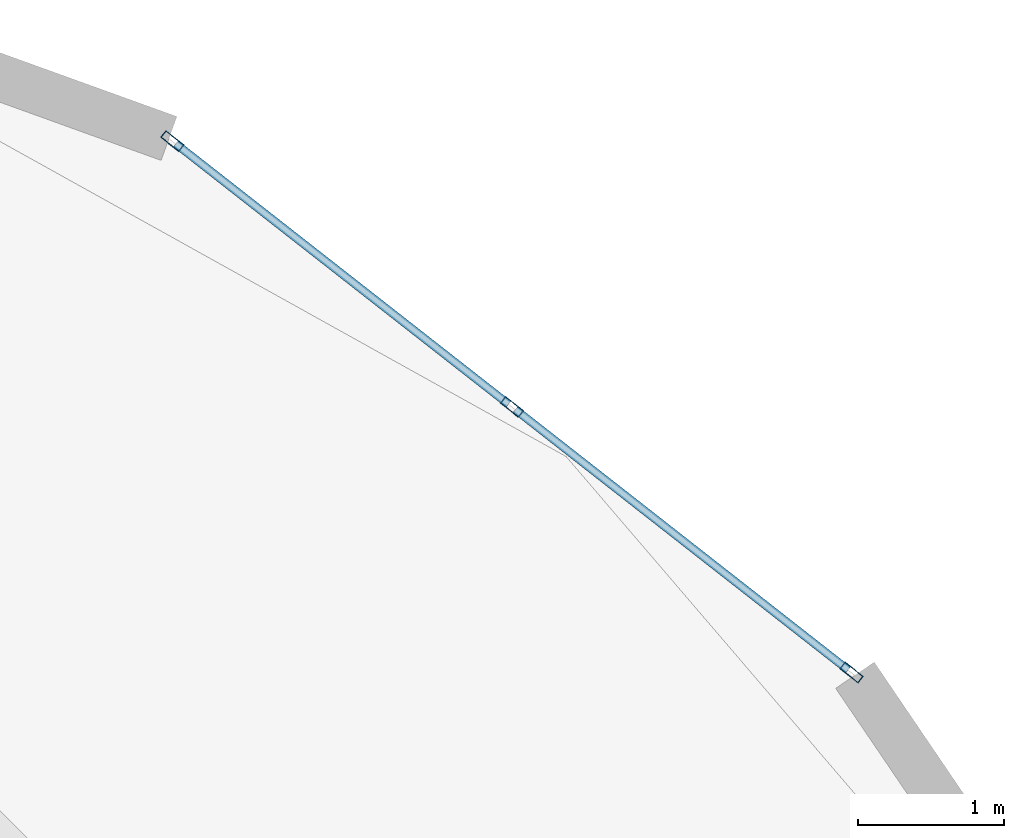
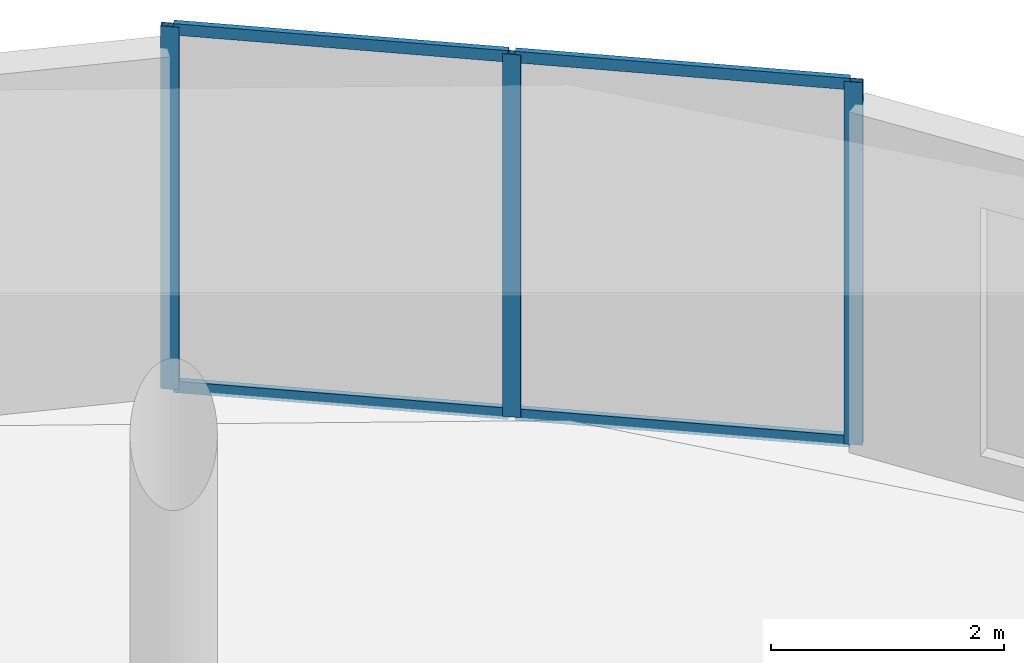
# One storey, part 13 of 19: 7 members, 1 element without a shape of its own.
"""IFC4 building model written with IfcOpenShell, lengths in metres."""

from ifc_helpers import new_model, si_unit, direction, frame, origin, origin_2d, place, context, subcontext, project, spatial, hollow_rectangle, extrude, source, transform, mapped, material, layer, layer_set, material_profile, profile_set, type_object, element, aggregate, save


model = new_model("IFC4")

# Units and contexts
model_context = context("Model", 3, precision=1e-05, world=origin(), true_north=direction((0.0, 1.0)))
body_context = subcontext(model_context, "Body", "Model", "MODEL_VIEW")
ifc_project = project(units=[si_unit("LENGTHUNIT", "METRE"), si_unit("AREAUNIT", "SQUARE_METRE"), si_unit("VOLUMEUNIT", "CUBIC_METRE"), si_unit("PLANEANGLEUNIT", "RADIAN"), si_unit("MASSUNIT", "GRAM", prefix="KILO")], contexts=[model_context])

# Site, building, storey
site_placement = place(None, origin())
site = spatial("IfcSite", under=ifc_project, at=site_placement, CompositionType="ELEMENT")
building_placement = place(site_placement, origin())
building = spatial("IfcBuilding", under=site, at=building_placement, Name="Solvirekh Grand Hotel", CompositionType="ELEMENT")
storey_placement = place(building_placement, frame((0.0, 0.0, 254.39990234375)))
storey = spatial("IfcBuildingStorey", under=building, at=storey_placement, Name="L66", CompositionType="ELEMENT", Elevation=254.39990234375)

# Curtain wall, members
ifc_material = material(Name="Anodized Bronze Aluminium 6063-T6", Category="aluminium")
ifc_layer = layer(ifc_material, 0.159912109375)
ifc_layer_set = layer_set([ifc_layer], Name="Anodized Bronze Aluminium 6063-T6")
curtain_wall_type = type_object("IfcCurtainWallType", Name="CW_Sys4_HighZoneFlushBronzeCW", PredefinedType="NOTDEFINED", material=ifc_layer_set)
curtain_wall_placement = place(storey_placement, origin())
curtain_wall = element("IfcCurtainWall", 1, at=curtain_wall_placement, inside=storey, type_object=curtain_wall_type, Name="L66 unitised bronze-glass curtain wall CW-L66-C08", PredefinedType="NOTDEFINED")
ifc_material_profile_1 = material_profile(ifc_material, hollow_rectangle(XDim=0.06005859375, YDim=0.159912109375, WallThickness=0.0048828125, at=origin_2d()), Name="ALU RHS 160X60X5")
ifc_profile_set_1 = profile_set([ifc_material_profile_1], Name="Anodized Bronze Aluminium 6063-T6")
member_type_1 = type_object("IfcMemberType", Name="CWMullion_Sys4", PredefinedType="MULLION", material=ifc_profile_set_1)
shared_shape_1 = source(origin(), body_context, "Body", "SweptSolid", [
    extrude(hollow_rectangle(XDim=0.06005859375, YDim=0.159912109375, WallThickness=0.0048828125, at=origin_2d()), origin(), (0.0, 0.0, 1.0), 3.800048828125),
])
member_1_placement = place(storey_placement, frame((14.533447265625, 13.49853515625, 0.0), z_axis=(0.0, 0.0, 1.0), x_axis=(-0.616263204488, -0.787540261062, 0.0)))
member_1 = element("IfcMember", 2, at=member_1_placement, type_object=member_type_1, Name="U04 mullion 1", PredefinedType="MULLION", context=body_context, shape_type="MappedRepresentation", body=[
    mapped(shared_shape_1, transform((0.0, 0.0, 0.0), x_axis=(1.0, 0.0, 0.0), y_axis=(0.0, 1.0, 0.0), z_axis=(0.0, 0.0, 1.0), scale=1.0)),
])
member_2_placement = place(storey_placement, frame((12.200439453125, 15.323974609375, 0.0), z_axis=(0.0, 0.0, 1.0), x_axis=(-0.616263204488, -0.787540261062, 0.0)))
member_2 = element("IfcMember", 3, at=member_2_placement, type_object=member_type_1, Name="U04 mullion 2", PredefinedType="MULLION", context=body_context, shape_type="MappedRepresentation", body=[
    mapped(shared_shape_1, transform((0.0, 0.0, 0.0), x_axis=(1.0, 0.0, 0.0), y_axis=(0.0, 1.0, 0.0), z_axis=(0.0, 0.0, 1.0), scale=1.0)),
])
member_3_placement = place(storey_placement, frame((9.86767578125, 17.1494140625, 0.0), z_axis=(0.0, 0.0, 1.0), x_axis=(-0.616263204488, -0.787540261062, 0.0)))
member_3 = element("IfcMember", 4, at=member_3_placement, type_object=member_type_1, Name="U04 mullion 3", PredefinedType="MULLION", context=body_context, shape_type="MappedRepresentation", body=[
    mapped(shared_shape_1, transform((0.0, 0.0, 0.0), x_axis=(1.0, 0.0, 0.0), y_axis=(0.0, 1.0, 0.0), z_axis=(0.0, 0.0, 1.0), scale=1.0)),
])
ifc_material_profile_2 = material_profile(ifc_material, hollow_rectangle(XDim=0.054931640625, YDim=0.1201171875, WallThickness=0.00390625, at=origin_2d()), Name="ALU RHS 120X55X4")
ifc_profile_set_2 = profile_set([ifc_material_profile_2], Name="Anodized Bronze Aluminium 6063-T6")
member_type_2 = type_object("IfcMemberType", Name="CWTransom_Sys4", PredefinedType="USERDEFINED", material=ifc_profile_set_2)
shared_shape_2 = source(origin(), body_context, "Body", "SweptSolid", [
    extrude(hollow_rectangle(XDim=0.054931640625, YDim=0.1201171875, WallThickness=0.00390625, at=origin_2d()), origin(), (0.0, 0.0, 1.0), 2.902099609375),
])
member_4_placement = place(storey_placement, frame((14.509765625, 13.51708984375, 0.027587890625), z_axis=(-0.787577778884, 0.61621525639, 0.0), x_axis=(-0.61621525639, -0.787577778884, 0.0)))
member_4 = element("IfcMember", 5, at=member_4_placement, type_object=member_type_2, Name="U04 transom 1.1", ObjectType="TRANSOM", PredefinedType="USERDEFINED", context=body_context, shape_type="MappedRepresentation", body=[
    mapped(shared_shape_2, transform((0.0, 0.0, 0.0), x_axis=(1.0, 0.0, 0.0), y_axis=(0.0, 1.0, 0.0), z_axis=(0.0, 0.0, 1.0), scale=1.0)),
])
member_5_placement = place(storey_placement, frame((14.509765625, 13.51708984375, 3.772705078125), z_axis=(-0.787577778884, 0.61621525639, 0.0), x_axis=(-0.61621525639, -0.787577778884, 0.0)))
member_5 = element("IfcMember", 6, at=member_5_placement, type_object=member_type_2, Name="U04 transom 1.2", ObjectType="TRANSOM", PredefinedType="USERDEFINED", context=body_context, shape_type="MappedRepresentation", body=[
    mapped(shared_shape_2, transform((0.0, 0.0, 0.0), x_axis=(1.0, 0.0, 0.0), y_axis=(0.0, 1.0, 0.0), z_axis=(0.0, 0.0, 1.0), scale=1.0)),
])
member_6_placement = place(storey_placement, frame((12.1767578125, 15.342529296875, 0.027587890625), z_axis=(-0.787505001008, 0.616308261658, 0.0), x_axis=(-0.616308261658, -0.787505001008, 0.0)))
member_6 = element("IfcMember", 7, at=member_6_placement, type_object=member_type_2, Name="U04 transom 2.1", ObjectType="TRANSOM", PredefinedType="USERDEFINED", context=body_context, shape_type="MappedRepresentation", body=[
    mapped(shared_shape_2, transform((0.0, 0.0, 0.0), x_axis=(1.0, 0.0, 0.0), y_axis=(0.0, 1.0, 0.0), z_axis=(0.0, 0.0, 1.0), scale=1.0)),
])
member_7_placement = place(storey_placement, frame((12.1767578125, 15.342529296875, 3.772705078125), z_axis=(-0.787505001008, 0.616308261658, 0.0), x_axis=(-0.616308261658, -0.787505001008, 0.0)))
member_7 = element("IfcMember", 8, at=member_7_placement, type_object=member_type_2, Name="U04 transom 2.2", ObjectType="TRANSOM", PredefinedType="USERDEFINED", context=body_context, shape_type="MappedRepresentation", body=[
    mapped(shared_shape_2, transform((0.0, 0.0, 0.0), x_axis=(1.0, 0.0, 0.0), y_axis=(0.0, 1.0, 0.0), z_axis=(0.0, 0.0, 1.0), scale=1.0)),
])
aggregate(curtain_wall, [member_1, member_2, member_3, member_4, member_5, member_6, member_7])

save(model, "model.ifc")
